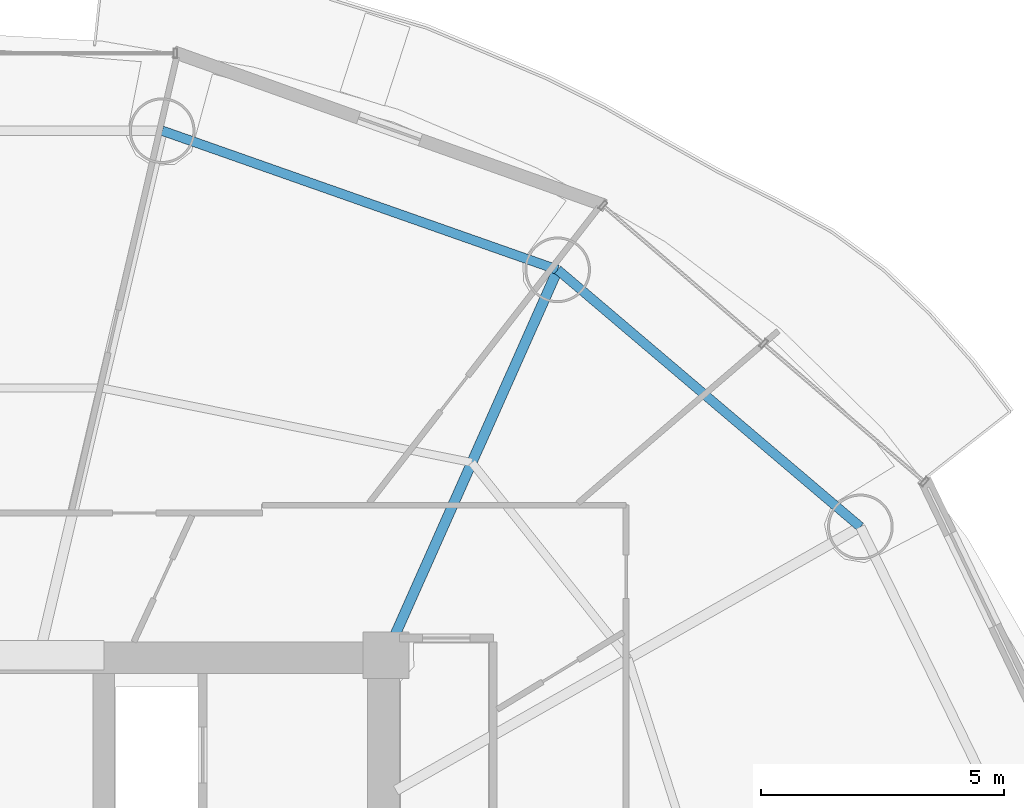
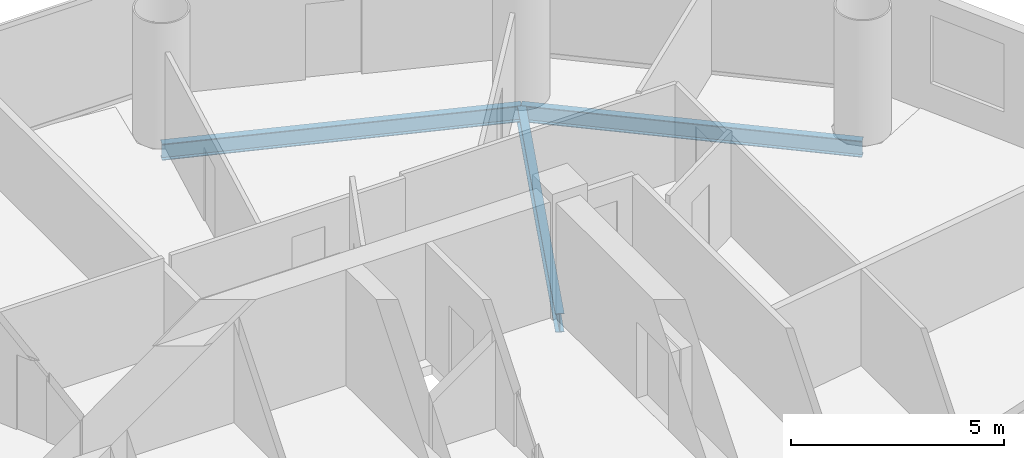
# One storey, part 17 of 26: 3 beams.
"""IFC4 building model written with IfcOpenShell, lengths in metres."""

from ifc_helpers import new_model, si_unit, direction, frame, origin, origin_2d, place, context, subcontext, project, spatial, i_section, extrude, material, material_profile, profile_set, type_object, element, save


model = new_model("IFC4")

# Units and contexts
model_context = context("Model", 3, precision=1e-05, world=origin(), true_north=direction((-0.2419218956, 0.970295726276)))
body_context = subcontext(model_context, "Body", "Model", "MODEL_VIEW")
ifc_project = project(units=[si_unit("LENGTHUNIT", "METRE"), si_unit("AREAUNIT", "SQUARE_METRE"), si_unit("VOLUMEUNIT", "CUBIC_METRE"), si_unit("PLANEANGLEUNIT", "RADIAN"), si_unit("MASSUNIT", "GRAM", prefix="KILO")], contexts=[model_context])

# Site, building, storey
site_placement = place(None, origin())
site = spatial("IfcSite", under=ifc_project, at=site_placement, CompositionType="ELEMENT")
building_placement = place(site_placement, origin())
building = spatial("IfcBuilding", under=site, at=building_placement, Name="Cobrevalo Terracotta Tower", CompositionType="ELEMENT")
storey_placement = place(building_placement, frame((0.0, 0.0, 139.0)))
storey = spatial("IfcBuildingStorey", under=building, at=storey_placement, Name="L36", CompositionType="ELEMENT", Elevation=139.0)

# Beams
ifc_material = material(Name="Steel S355", Category="steel")
ifc_material_profile_1 = material_profile(ifc_material, i_section(OverallWidth=0.2109375, OverallDepth=0.5390625, WebThickness=0.01171875, FlangeThickness=0.018798828125, at=origin_2d()), Name="W 530x109")
ifc_profile_set_1 = profile_set([ifc_material_profile_1], Name="Steel S355")
beam_type_1 = type_object("IfcBeamType", Name="Structural Beam W 530x109 (Steel S355)", PredefinedType="BEAM", material=ifc_profile_set_1)
beam_1_placement = place(storey_placement, frame((50.528076171875, 42.72265625, -0.53955078125), z_axis=(-0.406804395691, -0.913515289224, 0.0), x_axis=(0.913515289224, -0.406804395691, 0.0)))
element("IfcBeam", 1, at=beam_1_placement, inside=storey, type_object=beam_type_1, Name="L36 radial floor girder 03", PredefinedType="BEAM", context=body_context, shape_type="SweptSolid", body=[
    extrude(i_section(OverallWidth=0.2109375, OverallDepth=0.5390625, WebThickness=0.01171875, FlangeThickness=0.018798828125, at=origin_2d()), origin(), (0.0, 0.0, 1.0), 8.672607421875),
])
ifc_material_profile_2 = material_profile(ifc_material, i_section(OverallWidth=0.194091796875, OverallDepth=0.468994140625, WebThickness=0.011474609375, FlangeThickness=0.0205078125, at=origin_2d()), Name="W 460x106")
ifc_profile_set_2 = profile_set([ifc_material_profile_2], Name="Steel S355")
beam_type_2 = type_object("IfcBeamType", Name="Structural Spandrel W 460x106 (Steel S355)", PredefinedType="SPANDREL", material=ifc_profile_set_2)
beam_2_placement = place(storey_placement, frame((56.749755859375, 37.439208984375, -0.50439453125), z_axis=(-0.762240337798, 0.647294112003, 0.0), x_axis=(-0.647294112003, -0.762240337798, 0.0)))
element("IfcBeam", 2, at=beam_2_placement, inside=storey, type_object=beam_type_2, Name="L36 perimeter ring spandrel 02", PredefinedType="SPANDREL", context=body_context, shape_type="SweptSolid", body=[
    extrude(i_section(OverallWidth=0.194091796875, OverallDepth=0.468994140625, WebThickness=0.011474609375, FlangeThickness=0.0205078125, at=origin_2d()), origin(), (0.0, 0.0, 1.0), 8.162353515625),
])
beam_3_placement = place(storey_placement, frame((50.528076171875, 42.72265625, -0.50439453125), z_axis=(-0.943341298492, 0.331824041565, 0.0), x_axis=(-0.331824041565, -0.943341298492, 0.0)))
element("IfcBeam", 3, at=beam_3_placement, inside=storey, type_object=beam_type_2, Name="L36 perimeter ring spandrel 03", PredefinedType="SPANDREL", context=body_context, shape_type="SweptSolid", body=[
    extrude(i_section(OverallWidth=0.194091796875, OverallDepth=0.468994140625, WebThickness=0.011474609375, FlangeThickness=0.0205078125, at=origin_2d()), origin(), (0.0, 0.0, 1.0), 8.6171875),
])

save(model, "model.ifc")
